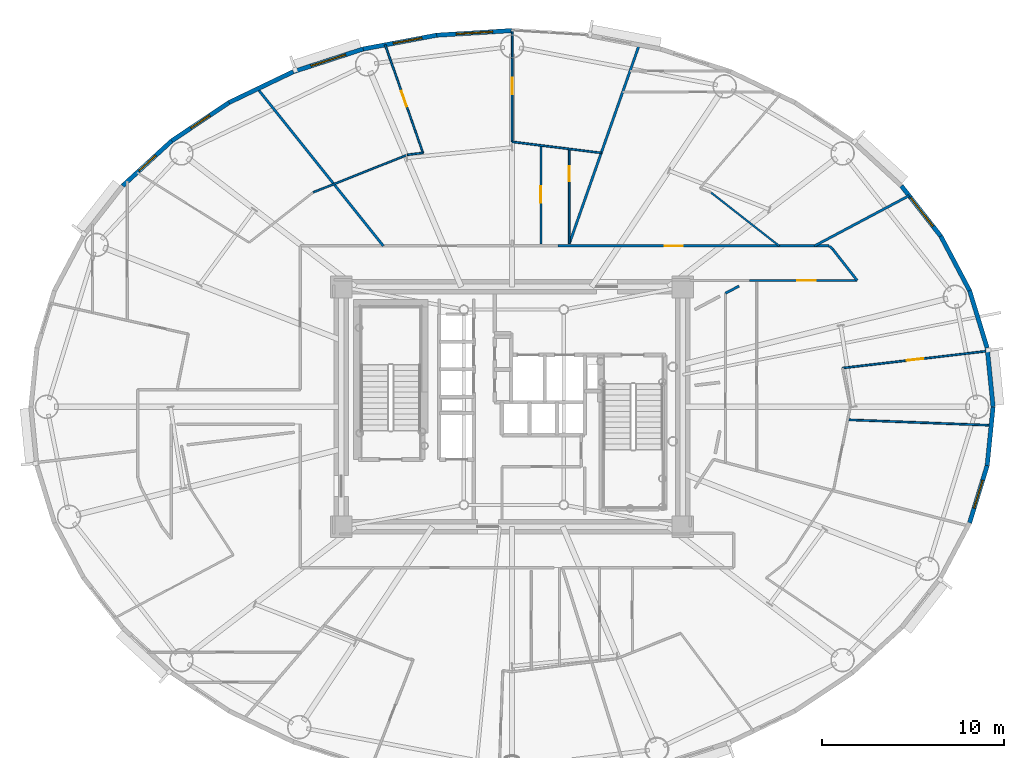
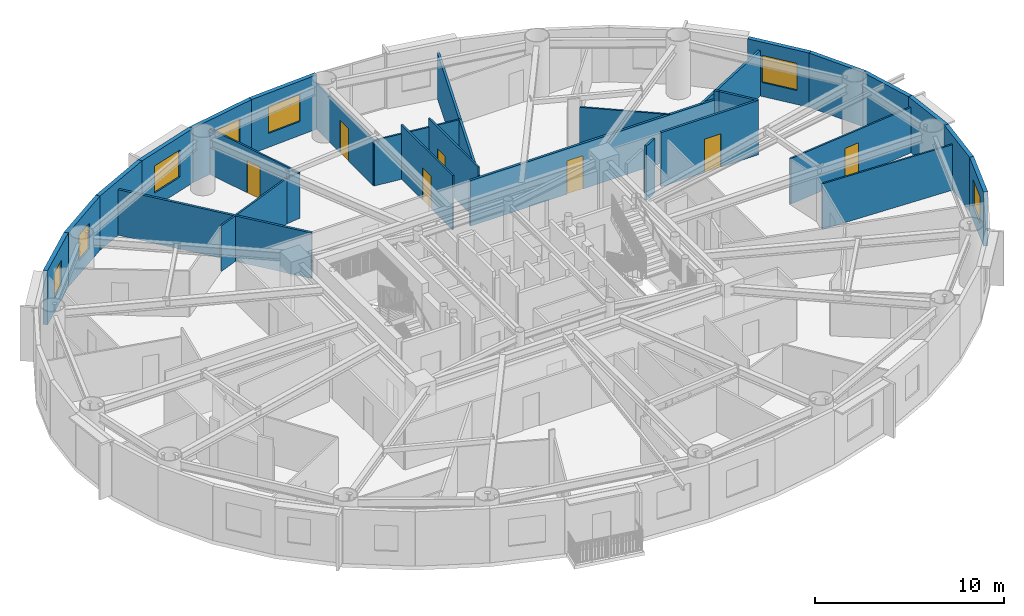
# One storey, part 12 of 19: 30 walls, 7 doors, 7 windows, 14 openings.
"""IFC4 building model written with IfcOpenShell, lengths in metres."""

from ifc_helpers import new_model, si_unit, direction, frame, frame_2d, origin, origin_2d, place, context, subcontext, project, spatial, rectangle, extrude, source, transform, mapped, material, layer, layer_set, type_object, element, fill, save


model = new_model("IFC4")

# Units and contexts
model_context = context("Model", 3, precision=1e-05, world=origin(), true_north=direction((0.0, 1.0)))
body_context = subcontext(model_context, "Body", "Model", "MODEL_VIEW")
ifc_project = project(units=[si_unit("LENGTHUNIT", "METRE"), si_unit("AREAUNIT", "SQUARE_METRE"), si_unit("VOLUMEUNIT", "CUBIC_METRE"), si_unit("PLANEANGLEUNIT", "RADIAN"), si_unit("MASSUNIT", "GRAM", prefix="KILO")], contexts=[model_context])

# Site, building, storey
site_placement = place(None, origin())
site = spatial("IfcSite", under=ifc_project, at=site_placement, CompositionType="ELEMENT")
building_placement = place(site_placement, origin())
building = spatial("IfcBuilding", under=site, at=building_placement, Name="Linh Dai School and Residence Tower", CompositionType="ELEMENT")
storey_placement = place(building_placement, frame((0.0, 0.0, 174.89990234375)))
storey = spatial("IfcBuildingStorey", under=building, at=storey_placement, Name="L42", CompositionType="ELEMENT", Elevation=174.89990234375)

# Walls
ifc_material_1 = material(Name="Precast Concrete B45 (C35/45)", Category="concrete")
ifc_layer_1 = layer(ifc_material_1, 0.239990234375)
ifc_layer_set_1 = layer_set([ifc_layer_1], Name="Precast Concrete B45 (C35/45)")
wall_type_1 = type_object("IfcWallType", Name="EW-TC-240", PredefinedType="SOLIDWALL", material=ifc_layer_set_1)
wall_1_placement = place(storey_placement, frame((62.14990234375, 30.233642578125, 0.0), z_axis=(0.0, 0.0, 1.0), x_axis=(0.100061534614, -0.994981250723, 0.0)))
element("IfcWall", 1, at=wall_1_placement, inside=storey, type_object=wall_type_1, Name="L42 Terracotta Exterior Wall 01", PredefinedType="SOLIDWALL", context=body_context, shape_type="SweptSolid", body=[
    extrude(rectangle(XDim=3.25, YDim=0.239990234375, at=frame_2d((1.625, 0.0))), origin(), (0.0, 0.0, 1.0), 3.5),
])
wall_2_placement = place(storey_placement, frame((61.1826171875, 33.388916015625, 0.0), z_axis=(0.0, 0.0, 1.0), x_axis=(0.293097995113, -0.956082405058, 0.0)))
element("IfcWall", 2, at=wall_2_placement, inside=storey, type_object=wall_type_1, Name="L42 Terracotta Exterior Wall 02", PredefinedType="SOLIDWALL", context=body_context, shape_type="SweptSolid", body=[
    extrude(rectangle(XDim=3.30029296875, YDim=0.239990234375, at=frame_2d((1.650146484375, 0.0))), origin(), (0.0, 0.0, 1.0), 3.5),
])
wall_3_placement = place(storey_placement, frame((59.595947265625, 36.388427734375, 0.0), z_axis=(0.0, 0.0, 1.0), x_axis=(0.467586874938, -0.88394712194, 0.0)))
element("IfcWall", 3, at=wall_3_placement, inside=storey, type_object=wall_type_1, Name="L42 Terracotta Exterior Wall 03", PredefinedType="SOLIDWALL", context=body_context, shape_type="SweptSolid", body=[
    extrude(rectangle(XDim=3.393310546875, YDim=0.239990234375, at=frame_2d((1.69677734375, 0.0))), origin(), (0.0, 0.0, 1.0), 3.5),
])

# Wall, opening, window
wall_4_placement = place(storey_placement, frame((57.42822265625, 39.158447265625, 0.0), z_axis=(0.0, 0.0, 1.0), x_axis=(0.616287674549, -0.787521112224, 0.0)))
wall_4 = element("IfcWall", 4, at=wall_4_placement, inside=storey, type_object=wall_type_1, Name="L42 Terracotta Exterior Wall 04", PredefinedType="SOLIDWALL", context=body_context, shape_type="SweptSolid", body=[
    extrude(rectangle(XDim=3.517333984375, YDim=0.239990234375, at=frame_2d((1.7587890625, 0.0))), origin(), (0.0, 0.0, 1.0), 3.5),
])
opening_1_placement = place(wall_4_placement, frame((0.818603515625, 0.0, 0.89990234375)))
opening_1 = element("IfcOpeningElement", 5, at=opening_1_placement, cuts=wall_4, Name="Opening W1", PredefinedType="OPENING", context=body_context, shape_type="SweptSolid", body=[
    extrude(rectangle(XDim=2.0, YDim=1.75, at=origin_2d()), frame((1.0, 0.1298828125, 0.875), z_axis=(0.0, -1.0, 0.0), x_axis=(1.0, 0.0, 0.0)), (0.0, 0.0, 1.0), 0.260009765625),
])
ifc_material_2 = material(Name="Double Low-E Insulated Glazing", Category="glass")
window_type_1 = type_object("IfcWindowType", Name="WN-RES-2000x1750", PartitioningType="DOUBLE_PANEL_VERTICAL", PredefinedType="WINDOW", material=ifc_material_2)
shared_shape_1 = source(origin(), body_context, "Body", "SweptSolid", [
    extrude(rectangle(XDim=2.0, YDim=1.75, at=origin_2d()), frame((1.0, 0.030029296875, 0.875), z_axis=(0.0, -1.0, 0.0), x_axis=(1.0, 0.0, 0.0)), (0.0, 0.0, 1.0), 0.06005859375),
])
window_1_placement = place(opening_1_placement, origin())
window_1 = element("IfcWindow", 6, at=window_1_placement, inside=storey, type_object=window_type_1, Name="L42 Exterior Window 04.1", OverallHeight=1.75, OverallWidth=2.0, PartitioningType="DOUBLE_PANEL_VERTICAL", PredefinedType="WINDOW", context=body_context, shape_type="MappedRepresentation", body=[
    mapped(shared_shape_1, transform((0.0, 0.0, 0.0), x_axis=(1.0, 0.0, 0.0), y_axis=(0.0, 1.0, 0.0), z_axis=(0.0, 0.0, 1.0), scale=1.0)),
])
fill(opening_1, window_1)

wall_5_placement = place(storey_placement, frame((31.854248046875, 47.449462890625, 0.0), z_axis=(0.0, 0.0, 1.0), x_axis=(0.998104600619, 0.061540281305, 0.0)))
wall_5 = element("IfcWall", 7, at=wall_5_placement, inside=storey, type_object=wall_type_1, Name="L42 Terracotta Exterior Wall 11", PredefinedType="SOLIDWALL", context=body_context, shape_type="SweptSolid", body=[
    extrude(rectangle(XDim=4.153564453125, YDim=0.239990234375, at=frame_2d((2.07666015625, 0.0))), origin(), (0.0, 0.0, 1.0), 3.5),
])
opening_2_placement = place(wall_5_placement, frame((1.08154296875, 0.0, 0.89990234375)))
opening_2 = element("IfcOpeningElement", 8, at=opening_2_placement, cuts=wall_5, Name="Opening W1", PredefinedType="OPENING", context=body_context, shape_type="SweptSolid", body=[
    extrude(rectangle(XDim=2.0, YDim=1.75, at=origin_2d()), frame((1.0, 0.1298828125, 0.875), z_axis=(0.0, -1.0, 0.0), x_axis=(1.0, 0.0, 0.0)), (0.0, 0.0, 1.0), 0.260009765625),
])
window_2_placement = place(opening_2_placement, origin())
window_2 = element("IfcWindow", 9, at=window_2_placement, inside=storey, type_object=window_type_1, Name="L42 Exterior Window 11.1", OverallHeight=1.75, OverallWidth=2.0, PartitioningType="DOUBLE_PANEL_VERTICAL", PredefinedType="WINDOW", context=body_context, shape_type="MappedRepresentation", body=[
    mapped(shared_shape_1, transform((0.0, 0.0, 0.0), x_axis=(1.0, 0.0, 0.0), y_axis=(0.0, 1.0, 0.0), z_axis=(0.0, 0.0, 1.0), scale=1.0)),
])
fill(opening_2, window_2)

wall_6_placement = place(storey_placement, frame((27.81103515625, 46.689453125, 0.0), z_axis=(0.0, 0.0, 1.0), x_axis=(0.982788108205, 0.184736391573, 0.0)))
wall_6 = element("IfcWall", 10, at=wall_6_placement, inside=storey, type_object=wall_type_1, Name="L42 Terracotta Exterior Wall 12", PredefinedType="SOLIDWALL", context=body_context, shape_type="SweptSolid", body=[
    extrude(rectangle(XDim=4.114013671875, YDim=0.239990234375, at=frame_2d((2.05712890625, 0.0))), origin(), (0.0, 0.0, 1.0), 3.5),
])
opening_3_placement = place(wall_6_placement, frame((1.687255859375, 0.0, 0.89990234375)))
opening_3 = element("IfcOpeningElement", 11, at=opening_3_placement, cuts=wall_6, Name="Opening W2", PredefinedType="OPENING", context=body_context, shape_type="SweptSolid", body=[
    extrude(rectangle(XDim=1.60009765625, YDim=1.75, at=origin_2d()), frame((0.800048828125, 0.1298828125, 0.875), z_axis=(0.0, -1.0, 0.0), x_axis=(1.0, 0.0, 0.0)), (0.0, 0.0, 1.0), 0.260009765625),
])
window_type_2 = type_object("IfcWindowType", Name="WN-RES-1600x1750", PartitioningType="DOUBLE_PANEL_VERTICAL", PredefinedType="WINDOW", material=ifc_material_2)
shared_shape_2 = source(origin(), body_context, "Body", "SweptSolid", [
    extrude(rectangle(XDim=1.60009765625, YDim=1.75, at=origin_2d()), frame((0.800048828125, 0.030029296875, 0.875), z_axis=(0.0, -1.0, 0.0), x_axis=(1.0, 0.0, 0.0)), (0.0, 0.0, 1.0), 0.06005859375),
])
window_3_placement = place(opening_3_placement, origin())
window_3 = element("IfcWindow", 12, at=window_3_placement, inside=storey, type_object=window_type_2, Name="L42 Exterior Window 12.1", OverallHeight=1.75, OverallWidth=1.60009765625, PartitioningType="DOUBLE_PANEL_VERTICAL", PredefinedType="WINDOW", context=body_context, shape_type="MappedRepresentation", body=[
    mapped(shared_shape_2, transform((0.0, 0.0, 0.0), x_axis=(1.0, 0.0, 0.0), y_axis=(0.0, 1.0, 0.0), z_axis=(0.0, 0.0, 1.0), scale=1.0)),
])
fill(opening_3, window_3)

wall_7_placement = place(storey_placement, frame((23.97021484375, 45.443603515625, 0.0), z_axis=(0.0, 0.0, 1.0), x_axis=(0.951209870236, 0.30854462038, 0.0)))
wall_7 = element("IfcWall", 13, at=wall_7_placement, inside=storey, type_object=wall_type_1, Name="L42 Terracotta Exterior Wall 13", PredefinedType="SOLIDWALL", context=body_context, shape_type="SweptSolid", body=[
    extrude(rectangle(XDim=4.037841796875, YDim=0.239990234375, at=frame_2d((2.01904296875, 0.0))), origin(), (0.0, 0.0, 1.0), 3.5),
])
opening_4_placement = place(wall_7_placement, frame((1.01904296875, 0.0, 0.89990234375)))
opening_4 = element("IfcOpeningElement", 14, at=opening_4_placement, cuts=wall_7, Name="Opening W1", PredefinedType="OPENING", context=body_context, shape_type="SweptSolid", body=[
    extrude(rectangle(XDim=2.0, YDim=1.75, at=origin_2d()), frame((1.0, 0.1298828125, 0.875), z_axis=(0.0, -1.0, 0.0), x_axis=(1.0, 0.0, 0.0)), (0.0, 0.0, 1.0), 0.260009765625),
])
window_4_placement = place(opening_4_placement, origin())
window_4 = element("IfcWindow", 15, at=window_4_placement, inside=storey, type_object=window_type_1, Name="L42 Exterior Window 13.1", OverallHeight=1.75, OverallWidth=2.0, PartitioningType="DOUBLE_PANEL_VERTICAL", PredefinedType="WINDOW", context=body_context, shape_type="MappedRepresentation", body=[
    mapped(shared_shape_1, transform((0.0, 0.0, 0.0), x_axis=(1.0, 0.0, 0.0), y_axis=(0.0, 1.0, 0.0), z_axis=(0.0, 0.0, 1.0), scale=1.0)),
])
fill(opening_4, window_4)

# Wall
wall_8_placement = place(storey_placement, frame((20.4267578125, 43.7431640625, 0.0), z_axis=(0.0, 0.0, 1.0), x_axis=(0.901564733809, 0.432644231155, 0.0)))
element("IfcWall", 16, at=wall_8_placement, inside=storey, type_object=wall_type_1, Name="L42 Terracotta Exterior Wall 14", PredefinedType="SOLIDWALL", context=body_context, shape_type="SweptSolid", body=[
    extrude(rectangle(XDim=3.930419921875, YDim=0.239990234375, at=frame_2d((1.96533203125, 0.0))), origin(), (0.0, 0.0, 1.0), 3.5),
])

# Wall, opening, window
wall_9_placement = place(storey_placement, frame((17.26806640625, 41.630615234375, 0.0), z_axis=(0.0, 0.0, 1.0), x_axis=(0.831228998277, 0.555930168657, 0.0)))
wall_9 = element("IfcWall", 17, at=wall_9_placement, inside=storey, type_object=wall_type_1, Name="L42 Terracotta Exterior Wall 15", PredefinedType="SOLIDWALL", context=body_context, shape_type="SweptSolid", body=[
    extrude(rectangle(XDim=3.800048828125, YDim=0.239990234375, at=frame_2d((1.89990234375, 0.0))), origin(), (0.0, 0.0, 1.0), 3.5),
])
opening_5_placement = place(wall_9_placement, frame((1.27490234375, 0.0, 0.89990234375)))
opening_5 = element("IfcOpeningElement", 18, at=opening_5_placement, cuts=wall_9, Name="Opening W3", PredefinedType="OPENING", context=body_context, shape_type="SweptSolid", body=[
    extrude(rectangle(XDim=1.25, YDim=1.64990234375, at=origin_2d()), frame((0.625, 0.1298828125, 0.824951171875), z_axis=(0.0, -1.0, 0.0), x_axis=(1.0, 0.0, 0.0)), (0.0, 0.0, 1.0), 0.260009765625),
])
window_type_3 = type_object("IfcWindowType", Name="WN-RES-1250x1650", PartitioningType="SINGLE_PANEL", PredefinedType="WINDOW", material=ifc_material_2)
shared_shape_3 = source(origin(), body_context, "Body", "SweptSolid", [
    extrude(rectangle(XDim=1.25, YDim=1.64990234375, at=origin_2d()), frame((0.625, 0.030029296875, 0.824951171875), z_axis=(0.0, -1.0, 0.0), x_axis=(1.0, 0.0, 0.0)), (0.0, 0.0, 1.0), 0.06005859375),
])
window_5_placement = place(opening_5_placement, origin())
window_5 = element("IfcWindow", 19, at=window_5_placement, inside=storey, type_object=window_type_3, Name="L42 Dwelling Window U4203-BD1", OverallHeight=1.64990234375, OverallWidth=1.25, PartitioningType="SINGLE_PANEL", PredefinedType="WINDOW", context=body_context, shape_type="MappedRepresentation", body=[
    mapped(shared_shape_3, transform((0.0, 0.0, 0.0), x_axis=(1.0, 0.0, 0.0), y_axis=(0.0, 1.0, 0.0), z_axis=(0.0, 0.0, 1.0), scale=1.0)),
])
fill(opening_5, window_5)

wall_10_placement = place(storey_placement, frame((14.57177734375, 39.158447265625, 0.0), z_axis=(0.0, 0.0, 1.0), x_axis=(0.737076565834, 0.675809245349, 0.0)))
wall_10 = element("IfcWall", 20, at=wall_10_placement, inside=storey, type_object=wall_type_1, Name="L42 Terracotta Exterior Wall 16", PredefinedType="SOLIDWALL", context=body_context, shape_type="SweptSolid", body=[
    extrude(rectangle(XDim=3.658203125, YDim=0.239990234375, at=frame_2d((1.8291015625, 0.0))), origin(), (0.0, 0.0, 1.0), 3.5),
])
opening_6_placement = place(wall_10_placement, frame((1.22412109375, 0.0, 0.89990234375)))
opening_6 = element("IfcOpeningElement", 21, at=opening_6_placement, cuts=wall_10, Name="Opening W3", PredefinedType="OPENING", context=body_context, shape_type="SweptSolid", body=[
    extrude(rectangle(XDim=1.25, YDim=1.64990234375, at=origin_2d()), frame((0.625, 0.1298828125, 0.824951171875), z_axis=(0.0, -1.0, 0.0), x_axis=(1.0, 0.0, 0.0)), (0.0, 0.0, 1.0), 0.260009765625),
])
window_6_placement = place(opening_6_placement, origin())
window_6 = element("IfcWindow", 22, at=window_6_placement, inside=storey, type_object=window_type_3, Name="L42 Dwelling Window U4203-LIV", OverallHeight=1.64990234375, OverallWidth=1.25, PartitioningType="SINGLE_PANEL", PredefinedType="WINDOW", context=body_context, shape_type="MappedRepresentation", body=[
    mapped(shared_shape_3, transform((0.0, 0.0, 0.0), x_axis=(1.0, 0.0, 0.0), y_axis=(0.0, 1.0, 0.0), z_axis=(0.0, 0.0, 1.0), scale=1.0)),
])
fill(opening_6, window_6)

wall_11_placement = place(storey_placement, frame((62.14990234375, 23.766357421875, 0.0), z_axis=(0.0, 0.0, 1.0), x_axis=(-0.293097995113, -0.956082405058, 0.0)))
wall_11 = element("IfcWall", 23, at=wall_11_placement, inside=storey, type_object=wall_type_1, Name="L42 Terracotta Exterior Wall 39", PredefinedType="SOLIDWALL", context=body_context, shape_type="SweptSolid", body=[
    extrude(rectangle(XDim=3.30029296875, YDim=0.239990234375, at=frame_2d((1.650146484375, 0.0))), origin(), (0.0, 0.0, 1.0), 3.5),
])
opening_7_placement = place(wall_11_placement, frame((0.85009765625, 0.0, 0.89990234375)))
opening_7 = element("IfcOpeningElement", 24, at=opening_7_placement, cuts=wall_11, Name="Opening W2", PredefinedType="OPENING", context=body_context, shape_type="SweptSolid", body=[
    extrude(rectangle(XDim=1.60009765625, YDim=1.75, at=origin_2d()), frame((0.800048828125, 0.1298828125, 0.875), z_axis=(0.0, -1.0, 0.0), x_axis=(1.0, 0.0, 0.0)), (0.0, 0.0, 1.0), 0.260009765625),
])
window_7_placement = place(opening_7_placement, origin())
window_7 = element("IfcWindow", 25, at=window_7_placement, inside=storey, type_object=window_type_2, Name="L42 Exterior Window 39.1", OverallHeight=1.75, OverallWidth=1.60009765625, PartitioningType="DOUBLE_PANEL_VERTICAL", PredefinedType="WINDOW", context=body_context, shape_type="MappedRepresentation", body=[
    mapped(shared_shape_2, transform((0.0, 0.0, 0.0), x_axis=(1.0, 0.0, 0.0), y_axis=(0.0, 1.0, 0.0), z_axis=(0.0, 0.0, 1.0), scale=1.0)),
])
fill(opening_7, window_7)

# Walls
wall_12_placement = place(storey_placement, frame((62.47509765625, 27.0, 0.0), z_axis=(0.0, 0.0, 1.0), x_axis=(-0.100061534614, -0.994981250723, 0.0)))
element("IfcWall", 26, at=wall_12_placement, inside=storey, type_object=wall_type_1, Name="L42 Terracotta Exterior Wall 40", PredefinedType="SOLIDWALL", context=body_context, shape_type="SweptSolid", body=[
    extrude(rectangle(XDim=3.25, YDim=0.239990234375, at=frame_2d((1.625, 0.0))), origin(), (0.0, 0.0, 1.0), 3.5),
])
ifc_material_3 = material(Name="Autoclaved Aerated Concrete Blockwork", Category="masonry")
ifc_layer_2 = layer(ifc_material_3, 0.135009765625)
ifc_layer_set_2 = layer_set([ifc_layer_2], Name="Autoclaved Aerated Concrete Blockwork")
wall_type_2 = type_object("IfcWallType", Name="IW-CORR-135-EI90", PredefinedType="PARTITIONING", material=ifc_layer_set_2)
wall_13_placement = place(storey_placement, frame((21.99853515625, 44.5029296875, 0.0), z_axis=(0.0, 0.0, 1.0), x_axis=(0.624673551917, -0.780886005468, 0.0)))
element("IfcWall", 27, at=wall_13_placement, inside=storey, type_object=wall_type_2, Name="L42 Interior Partition Wall 020", PredefinedType="PARTITIONING", context=body_context, shape_type="SweptSolid", body=[
    extrude(rectangle(XDim=11.080810546875, YDim=0.135009765625, at=frame_2d((5.54052734375, 0.0))), origin(), (0.0, 0.0, 1.0), 2.93505859375),
])

# Wall, opening, door
wall_14_placement = place(storey_placement, frame((38.541259765625, 35.85009765625, 0.0), z_axis=(0.0, 0.0, 1.0), x_axis=(1.0, 0.0, 0.0)))
wall_14 = element("IfcWall", 28, at=wall_14_placement, inside=storey, type_object=wall_type_2, Name="L42 Interior Partition Wall 062", PredefinedType="PARTITIONING", context=body_context, shape_type="SweptSolid", body=[
    extrude(rectangle(XDim=14.91259765625, YDim=0.135009765625, at=frame_2d((7.456298828125, 0.0))), origin(), (0.0, 0.0, 1.0), 2.93505859375),
])
opening_8_placement = place(wall_14_placement, frame((5.86767578125, 0.0, 0.0)))
opening_8 = element("IfcOpeningElement", 29, at=opening_8_placement, cuts=wall_14, Name="Opening D03", PredefinedType="OPENING", context=body_context, shape_type="SweptSolid", body=[
    extrude(rectangle(XDim=1.0, YDim=2.14990234375, at=origin_2d()), frame((0.5, 0.07763671875, 1.074951171875), z_axis=(0.0, -1.0, 0.0), x_axis=(1.0, 0.0, 0.0)), (0.0, 0.0, 1.0), 0.155029296875),
])
ifc_material_4 = material(Name="Fire-Rated Solid Timber Entrance Door", Category="wood")
door_type_1 = type_object("IfcDoorType", Name="DR-FLAT-1000x2150-FD60S", OperationType="NOTDEFINED", PredefinedType="DOOR", material=ifc_material_4)
shared_shape_4 = source(origin(), body_context, "Body", "SweptSolid", [
    extrude(rectangle(XDim=1.0, YDim=2.14990234375, at=origin_2d()), frame((0.5, 0.02490234375, 1.074951171875), z_axis=(0.0, -1.0, 0.0), x_axis=(1.0, 0.0, 0.0)), (0.0, 0.0, 1.0), 0.050048828125),
])
door_1_placement = place(opening_8_placement, origin())
door_1 = element("IfcDoor", 30, at=door_1_placement, inside=storey, type_object=door_type_1, Name="L42 U4201 Apartment Entrance Door", OperationType="SINGLE_SWING_RIGHT", OverallHeight=2.14990234375, OverallWidth=1.0, PredefinedType="DOOR", context=body_context, shape_type="MappedRepresentation", body=[
    mapped(shared_shape_4, transform((0.0, 0.0, 0.0), x_axis=(1.0, 0.0, 0.0), y_axis=(0.0, 1.0, 0.0), z_axis=(0.0, 0.0, 1.0), scale=1.0)),
])
fill(opening_8, door_1)

# Wall
wall_15_placement = place(storey_placement, frame((39.154052734375, 35.97216796875, 0.0), z_axis=(0.0, 0.0, 1.0), x_axis=(0.331639887377, 0.94340605526, 0.0)))
element("IfcWall", 31, at=wall_15_placement, inside=storey, type_object=wall_type_2, Name="L42 Interior Partition Wall 067", PredefinedType="PARTITIONING", context=body_context, shape_type="SweptSolid", body=[
    extrude(rectangle(XDim=11.601806640625, YDim=0.135009765625, at=frame_2d((5.80078125, 0.0))), origin(), (0.0, 0.0, 1.0), 2.93505859375),
])

# Wall, opening, door
wall_16_placement = place(storey_placement, frame((49.071044921875, 33.949951171875, 0.0), z_axis=(0.0, 0.0, 1.0), x_axis=(1.0, 0.0, 0.0)))
wall_16 = element("IfcWall", 32, at=wall_16_placement, inside=storey, type_object=wall_type_2, Name="L42 Interior Partition Wall 087", PredefinedType="PARTITIONING", context=body_context, shape_type="SweptSolid", body=[
    extrude(rectangle(XDim=5.926025390625, YDim=0.135009765625, at=frame_2d((2.962890625, 0.0))), origin(), (0.0, 0.0, 1.0), 3.5),
])
opening_9_placement = place(wall_16_placement, frame((2.6396484375, 0.0, 0.0)))
opening_9 = element("IfcOpeningElement", 33, at=opening_9_placement, cuts=wall_16, Name="Opening D03", PredefinedType="OPENING", context=body_context, shape_type="SweptSolid", body=[
    extrude(rectangle(XDim=1.0, YDim=2.14990234375, at=origin_2d()), frame((0.5, 0.07763671875, 1.074951171875), z_axis=(0.0, -1.0, 0.0), x_axis=(1.0, 0.0, 0.0)), (0.0, 0.0, 1.0), 0.155029296875),
])
door_2_placement = place(opening_9_placement, origin())
door_2 = element("IfcDoor", 34, at=door_2_placement, inside=storey, type_object=door_type_1, Name="L42 U4207 Apartment Entrance Door", OperationType="SINGLE_SWING_RIGHT", OverallHeight=2.14990234375, OverallWidth=1.0, PredefinedType="DOOR", context=body_context, shape_type="MappedRepresentation", body=[
    mapped(shared_shape_4, transform((0.0, 0.0, 0.0), x_axis=(1.0, 0.0, 0.0), y_axis=(0.0, 1.0, 0.0), z_axis=(0.0, 0.0, 1.0), scale=1.0)),
])
fill(opening_9, door_2)

# Walls
wall_17_placement = place(storey_placement, frame((52.64453125, 35.85009765625, 0.0), z_axis=(0.0, 0.0, 1.0), x_axis=(0.882944268091, 0.469477815712, 0.0)))
element("IfcWall", 35, at=wall_17_placement, inside=storey, type_object=wall_type_2, Name="L42 Interior Partition Wall 092", PredefinedType="PARTITIONING", context=body_context, shape_type="SweptSolid", body=[
    extrude(rectangle(XDim=5.90185546875, YDim=0.135009765625, at=frame_2d((2.950927734375, 0.0))), origin(), (0.0, 0.0, 1.0), 2.93505859375),
])
wall_18_placement = place(storey_placement, frame((53.453857421875, 35.85009765625, 0.0), z_axis=(0.0, 0.0, 1.0), x_axis=(0.736667385572, -0.676255249913, 0.0)))
element("IfcWall", 36, at=wall_18_placement, inside=storey, type_object=wall_type_2, Name="L42 Interior Partition Wall 093", PredefinedType="PARTITIONING", context=body_context, shape_type="SweptSolid", body=[
    extrude(rectangle(XDim=0.270751953125, YDim=0.135009765625, at=frame_2d((0.13525390625, 0.0))), origin(), (0.0, 0.0, 1.0), 3.5),
])
wall_19_placement = place(storey_placement, frame((53.6533203125, 35.6669921875, 0.0), z_axis=(0.0, 0.0, 1.0), x_axis=(0.616302223209, -0.787509726713, 0.0)))
element("IfcWall", 37, at=wall_19_placement, inside=storey, type_object=wall_type_2, Name="L42 Interior Partition Wall 094", PredefinedType="PARTITIONING", context=body_context, shape_type="SweptSolid", body=[
    extrude(rectangle(XDim=2.180419921875, YDim=0.135009765625, at=frame_2d((1.09033203125, 0.0))), origin(), (0.0, 0.0, 1.0), 3.5),
])
wall_20_placement = place(storey_placement, frame((47.749267578125, 33.2470703125, 0.0), z_axis=(0.0, 0.0, 1.0), x_axis=(0.882834022315, 0.469685095616, 0.0)))
element("IfcWall", 38, at=wall_20_placement, inside=storey, type_object=wall_type_2, Name="L42 Interior Partition Wall 123", PredefinedType="PARTITIONING", context=body_context, shape_type="SweptSolid", body=[
    extrude(rectangle(XDim=0.842041015625, YDim=0.135009765625, at=frame_2d((0.4208984375, 0.0))), origin(), (0.0, 0.0, 1.0), 3.5),
])
ifc_material_5 = material(Name="Gypsum Plasterboard Acoustic Stud Partition", Category="masonry")
ifc_layer_3 = layer(ifc_material_5, 0.10009765625)
ifc_layer_set_3 = layer_set([ifc_layer_3], Name="Gypsum Plasterboard Acoustic Stud Partition")
wall_type_3 = type_object("IfcWallType", Name="IW-UNIT-100", PredefinedType="PARTITIONING", material=ifc_layer_set_3)
wall_21_placement = place(storey_placement, frame((25.055419921875, 38.79638671875, 0.0), z_axis=(0.0, 0.0, 1.0), x_axis=(0.928798710424, 0.370584613166, 0.0)))
element("IfcWall", 39, at=wall_21_placement, inside=storey, type_object=wall_type_3, Name="L42 Interior Partition Wall 025", PredefinedType="PARTITIONING", context=body_context, shape_type="SweptSolid", body=[
    extrude(rectangle(XDim=5.588623046875, YDim=0.10009765625, at=frame_2d((2.79443359375, 0.0))), origin(), (0.0, 0.0, 1.0), 2.93505859375),
])

# Wall, opening, door
wall_22_placement = place(storey_placement, frame((29.017578125, 46.92138671875, 0.0), z_axis=(0.0, 0.0, 1.0), x_axis=(0.330774858624, -0.943709697366, 0.0)))
wall_22 = element("IfcWall", 40, at=wall_22_placement, inside=storey, type_object=wall_type_3, Name="L42 Interior Partition Wall 029", PredefinedType="PARTITIONING", context=body_context, shape_type="SweptSolid", body=[
    extrude(rectangle(XDim=6.302490234375, YDim=0.10009765625, at=frame_2d((3.1513671875, 0.0))), origin(), (0.0, 0.0, 1.0), 2.93505859375),
])
opening_10_placement = place(wall_22_placement, frame((2.701171875, 0.0, 0.0)))
opening_10 = element("IfcOpeningElement", 41, at=opening_10_placement, cuts=wall_22, Name="Opening D05", PredefinedType="OPENING", context=body_context, shape_type="SweptSolid", body=[
    extrude(rectangle(XDim=0.89990234375, YDim=2.10009765625, at=origin_2d()), frame((0.449951171875, 0.06005859375, 1.050048828125), z_axis=(0.0, -1.0, 0.0), x_axis=(1.0, 0.0, 0.0)), (0.0, 0.0, 1.0), 0.1201171875),
])
ifc_material_6 = material(Name="Engineered Timber Internal Door", Category="wood")
door_type_2 = type_object("IfcDoorType", Name="DR-INT-900x2100", OperationType="NOTDEFINED", PredefinedType="DOOR", material=ifc_material_6)
shared_shape_5 = source(origin(), body_context, "Body", "SweptSolid", [
    extrude(rectangle(XDim=0.89990234375, YDim=2.10009765625, at=origin_2d()), frame((0.449951171875, 0.02490234375, 1.050048828125), z_axis=(0.0, -1.0, 0.0), x_axis=(1.0, 0.0, 0.0)), (0.0, 0.0, 1.0), 0.050048828125),
])
door_3_placement = place(opening_10_placement, origin())
door_3 = element("IfcDoor", 42, at=door_3_placement, inside=storey, type_object=door_type_2, Name="L42 Apartment U4202 Principal Bedroom 2 Door", OperationType="SINGLE_SWING_RIGHT", OverallHeight=2.10009765625, OverallWidth=0.89990234375, PredefinedType="DOOR", context=body_context, shape_type="MappedRepresentation", body=[
    mapped(shared_shape_5, transform((0.0, 0.0, 0.0), x_axis=(1.0, 0.0, 0.0), y_axis=(0.0, 1.0, 0.0), z_axis=(0.0, 0.0, 1.0), scale=1.0)),
])
fill(opening_10, door_3)

# Wall
wall_23_placement = place(storey_placement, frame((30.24609375, 40.867431640625, 0.0), z_axis=(0.0, 0.0, 1.0), x_axis=(0.992394974801, 0.123094329637, 0.0)))
element("IfcWall", 43, at=wall_23_placement, inside=storey, type_object=wall_type_3, Name="L42 Interior Partition Wall 031", PredefinedType="PARTITIONING", context=body_context, shape_type="SweptSolid", body=[
    extrude(rectangle(XDim=0.86279296875, YDim=0.10009765625, at=frame_2d((0.431396484375, 0.0))), origin(), (0.0, 0.0, 1.0), 2.93505859375),
])

# Wall, opening, door
wall_24_placement = place(storey_placement, frame((36.006591796875, 41.580078125, 0.0), z_axis=(0.0, 0.0, 1.0), x_axis=(0.000477973338, 0.999999885771, 0.0)))
wall_24 = element("IfcWall", 44, at=wall_24_placement, inside=storey, type_object=wall_type_3, Name="L42 Interior Partition Wall 055", PredefinedType="PARTITIONING", context=body_context, shape_type="SweptSolid", body=[
    extrude(rectangle(XDim=6.12939453125, YDim=0.10009765625, at=frame_2d((3.064697265625, 0.0))), origin(), (0.0, 0.0, 1.0), 2.93505859375),
])
opening_11_placement = place(wall_24_placement, frame((2.614501953125, 0.0, 0.0)))
opening_11 = element("IfcOpeningElement", 45, at=opening_11_placement, cuts=wall_24, Name="Opening D05", PredefinedType="OPENING", context=body_context, shape_type="SweptSolid", body=[
    extrude(rectangle(XDim=0.89990234375, YDim=2.10009765625, at=origin_2d()), frame((0.449951171875, 0.06005859375, 1.050048828125), z_axis=(0.0, -1.0, 0.0), x_axis=(1.0, 0.0, 0.0)), (0.0, 0.0, 1.0), 0.1201171875),
])
door_4_placement = place(opening_11_placement, origin())
door_4 = element("IfcDoor", 46, at=door_4_placement, inside=storey, type_object=door_type_2, Name="L42 Apartment U4202 Bedroom 1 Door", OperationType="SINGLE_SWING_LEFT", OverallHeight=2.10009765625, OverallWidth=0.89990234375, PredefinedType="DOOR", context=body_context, shape_type="MappedRepresentation", body=[
    mapped(shared_shape_5, transform((0.0, 0.0, 0.0), x_axis=(1.0, 0.0, 0.0), y_axis=(0.0, 1.0, 0.0), z_axis=(0.0, 0.0, 1.0), scale=1.0)),
])
fill(opening_11, door_4)

# Wall
wall_25_placement = place(storey_placement, frame((36.006591796875, 41.580078125, 0.0), z_axis=(0.0, 0.0, 1.0), x_axis=(0.992395965764, -0.123086340169, 0.0)))
element("IfcWall", 47, at=wall_25_placement, inside=storey, type_object=wall_type_3, Name="L42 Interior Partition Wall 056", PredefinedType="PARTITIONING", context=body_context, shape_type="SweptSolid", body=[
    extrude(rectangle(XDim=4.94287109375, YDim=0.10009765625, at=frame_2d((2.471435546875, 0.0))), origin(), (0.0, 0.0, 1.0), 2.93505859375),
])

# Wall, opening, door
wall_26_placement = place(storey_placement, frame((37.59228515625, 35.9677734375, 0.0), z_axis=(0.0, 0.0, 1.0), x_axis=(0.0, 1.0, 0.0)))
wall_26 = element("IfcWall", 48, at=wall_26_placement, inside=storey, type_object=wall_type_3, Name="L42 Interior Partition Wall 059", PredefinedType="PARTITIONING", context=body_context, shape_type="SweptSolid", body=[
    extrude(rectangle(XDim=5.415771484375, YDim=0.10009765625, at=frame_2d((2.7080078125, 0.0))), origin(), (0.0, 0.0, 1.0), 3.5),
])
opening_12_placement = place(wall_26_placement, frame((2.2578125, 0.0, 0.0)))
opening_12 = element("IfcOpeningElement", 49, at=opening_12_placement, cuts=wall_26, Name="Opening D05", PredefinedType="OPENING", context=body_context, shape_type="SweptSolid", body=[
    extrude(rectangle(XDim=0.89990234375, YDim=2.10009765625, at=origin_2d()), frame((0.449951171875, 0.06005859375, 1.050048828125), z_axis=(0.0, -1.0, 0.0), x_axis=(1.0, 0.0, 0.0)), (0.0, 0.0, 1.0), 0.1201171875),
])
door_5_placement = place(opening_12_placement, origin())
door_5 = element("IfcDoor", 50, at=door_5_placement, inside=storey, type_object=door_type_2, Name="L42 Apartment U4202 Kitchen Door", OperationType="SINGLE_SWING_LEFT", OverallHeight=2.10009765625, OverallWidth=0.89990234375, PredefinedType="DOOR", context=body_context, shape_type="MappedRepresentation", body=[
    mapped(shared_shape_5, transform((0.0, 0.0, 0.0), x_axis=(1.0, 0.0, 0.0), y_axis=(0.0, 1.0, 0.0), z_axis=(0.0, 0.0, 1.0), scale=1.0)),
])
fill(opening_12, door_5)

wall_27_placement = place(storey_placement, frame((39.14599609375, 35.973388671875, 0.0), z_axis=(0.0, 0.0, 1.0), x_axis=(0.0, 1.0, 0.0)))
wall_27 = element("IfcWall", 51, at=wall_27_placement, inside=storey, type_object=wall_type_3, Name="L42 Interior Partition Wall 066", PredefinedType="PARTITIONING", context=body_context, shape_type="SweptSolid", body=[
    extrude(rectangle(XDim=5.217529296875, YDim=0.10009765625, at=frame_2d((2.60888671875, 0.0))), origin(), (0.0, 0.0, 1.0), 3.5),
])
opening_13_placement = place(wall_27_placement, frame((3.44580078125, 0.0, 0.0)))
opening_13 = element("IfcOpeningElement", 52, at=opening_13_placement, cuts=wall_27, Name="Opening D06", PredefinedType="OPENING", context=body_context, shape_type="SweptSolid", body=[
    extrude(rectangle(XDim=0.820068359375, YDim=2.10009765625, at=origin_2d()), frame((0.41015625, 0.06005859375, 1.050048828125), z_axis=(0.0, -1.0, 0.0), x_axis=(1.0, 0.0, 0.0)), (0.0, 0.0, 1.0), 0.1201171875),
])
ifc_material_7 = material(Name="Moisture-Resistant Timber Bathroom Door", Category="wood")
door_type_3 = type_object("IfcDoorType", Name="DR-WET-820x2100", OperationType="NOTDEFINED", PredefinedType="DOOR", material=ifc_material_7)
shared_shape_6 = source(origin(), body_context, "Body", "SweptSolid", [
    extrude(rectangle(XDim=0.820068359375, YDim=2.10009765625, at=origin_2d()), frame((0.41015625, 0.02490234375, 1.050048828125), z_axis=(0.0, -1.0, 0.0), x_axis=(1.0, 0.0, 0.0)), (0.0, 0.0, 1.0), 0.050048828125),
])
door_6_placement = place(opening_13_placement, origin())
door_6 = element("IfcDoor", 53, at=door_6_placement, inside=storey, type_object=door_type_3, Name="L42 Apartment U4202 Bathroom 1 Door", OperationType="SINGLE_SWING_RIGHT", OverallHeight=2.10009765625, OverallWidth=0.820068359375, PredefinedType="DOOR", context=body_context, shape_type="MappedRepresentation", body=[
    mapped(shared_shape_6, transform((0.0, 0.0, 0.0), x_axis=(1.0, 0.0, 0.0), y_axis=(0.0, 1.0, 0.0), z_axis=(0.0, 0.0, 1.0), scale=1.0)),
])
fill(opening_13, door_6)

# Wall
wall_28_placement = place(storey_placement, frame((46.944580078125, 38.79638671875, 0.0), z_axis=(0.0, 0.0, 1.0), x_axis=(0.787326008068, -0.616536906454, 0.0)))
element("IfcWall", 54, at=wall_28_placement, inside=storey, type_object=wall_type_3, Name="L42 Interior Partition Wall 083", PredefinedType="PARTITIONING", context=body_context, shape_type="SweptSolid", body=[
    extrude(rectangle(XDim=4.77880859375, YDim=0.10009765625, at=frame_2d((2.389404296875, 0.0))), origin(), (0.0, 0.0, 1.0), 2.93505859375),
])

# Wall, opening, door
wall_29_placement = place(storey_placement, frame((54.18896484375, 29.131591796875, 0.0), z_axis=(0.0, 0.0, 1.0), x_axis=(0.993202342674, 0.116400629328, 0.0)))
wall_29 = element("IfcWall", 55, at=wall_29_placement, inside=storey, type_object=wall_type_3, Name="L42 Interior Partition Wall 097", PredefinedType="PARTITIONING", context=body_context, shape_type="SweptSolid", body=[
    extrude(rectangle(XDim=8.037353515625, YDim=0.10009765625, at=frame_2d((4.0185546875, 0.0))), origin(), (0.0, 0.0, 1.0), 2.93505859375),
])
opening_14_placement = place(wall_29_placement, frame((3.56884765625, 0.0, 0.0)))
opening_14 = element("IfcOpeningElement", 56, at=opening_14_placement, cuts=wall_29, Name="Opening D05", PredefinedType="OPENING", context=body_context, shape_type="SweptSolid", body=[
    extrude(rectangle(XDim=0.89990234375, YDim=2.10009765625, at=origin_2d()), frame((0.449951171875, 0.06005859375, 1.050048828125), z_axis=(0.0, -1.0, 0.0), x_axis=(1.0, 0.0, 0.0)), (0.0, 0.0, 1.0), 0.1201171875),
])
door_7_placement = place(opening_14_placement, origin())
door_7 = element("IfcDoor", 57, at=door_7_placement, inside=storey, type_object=door_type_2, Name="L42 Apartment U4207 Study Door", OperationType="SINGLE_SWING_RIGHT", OverallHeight=2.10009765625, OverallWidth=0.89990234375, PredefinedType="DOOR", context=body_context, shape_type="MappedRepresentation", body=[
    mapped(shared_shape_5, transform((0.0, 0.0, 0.0), x_axis=(1.0, 0.0, 0.0), y_axis=(0.0, 1.0, 0.0), z_axis=(0.0, 0.0, 1.0), scale=1.0)),
])
fill(opening_14, door_7)

# Wall
wall_30_placement = place(storey_placement, frame((54.475341796875, 26.28515625, 0.0), z_axis=(0.0, 0.0, 1.0), x_axis=(0.999251521297, -0.03868329336, 0.0)))
element("IfcWall", 58, at=wall_30_placement, inside=storey, type_object=wall_type_3, Name="L42 Interior Partition Wall 098", PredefinedType="PARTITIONING", context=body_context, shape_type="SweptSolid", body=[
    extrude(rectangle(XDim=7.907958984375, YDim=0.10009765625, at=frame_2d((3.9541015625, 0.0))), origin(), (0.0, 0.0, 1.0), 2.93505859375),
])

save(model, "model.ifc")
